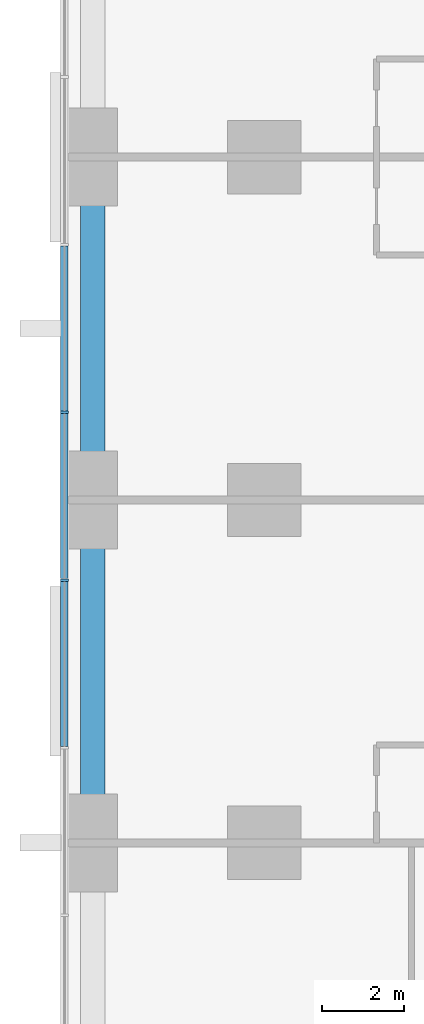
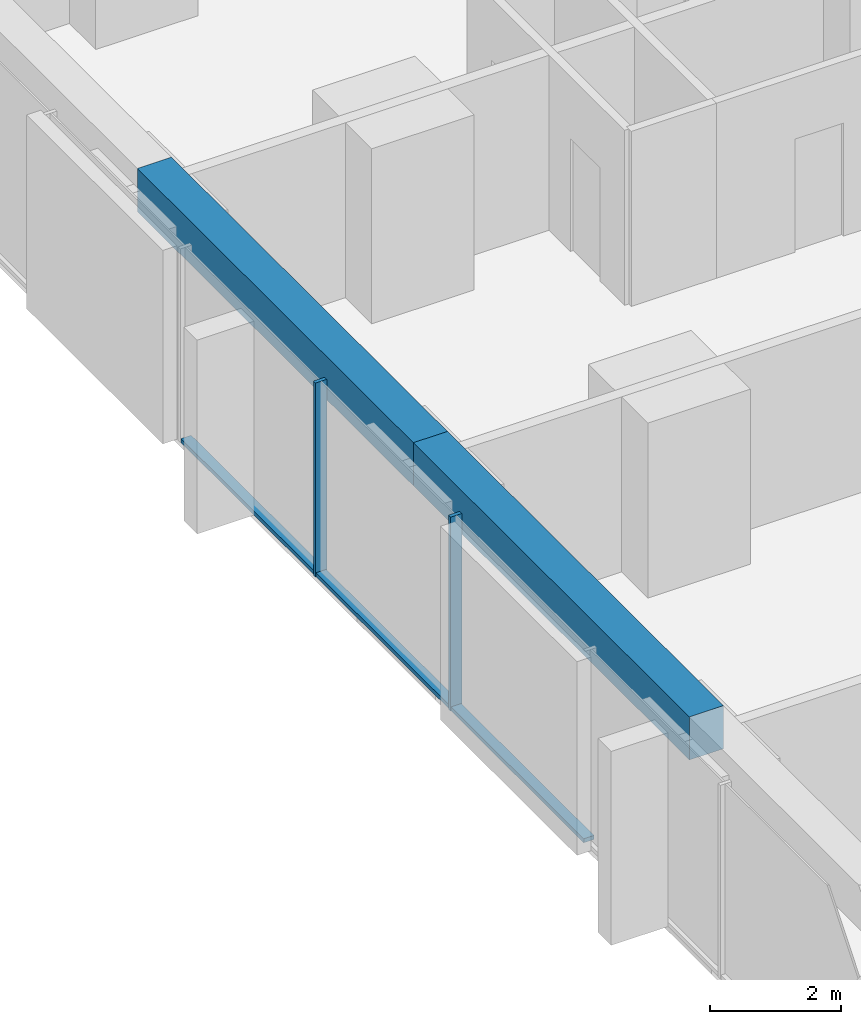
# One storey, part 3 of 17: 5 members, 2 beams, 1 element without a shape of its own.
"""IFC4 building model written with IfcOpenShell, lengths in metres."""

from ifc_helpers import new_model, si_unit, direction, frame, origin, origin_2d, place, context, subcontext, project, spatial, rectangle, extrude, material, material_profile, profile_set, type_object, element, aggregate, save


model = new_model("IFC4")

# Units and contexts
model_context = context("Model", 3, precision=1e-05, world=origin(), true_north=direction((0.0, 1.0)))
body_context = subcontext(model_context, "Body", "Model", "MODEL_VIEW")
ifc_project = project(units=[si_unit("LENGTHUNIT", "METRE"), si_unit("AREAUNIT", "SQUARE_METRE"), si_unit("VOLUMEUNIT", "CUBIC_METRE"), si_unit("PLANEANGLEUNIT", "RADIAN"), si_unit("MASSUNIT", "GRAM", prefix="KILO")], contexts=[model_context])

# Site, building, storey
site_placement = place(None, origin())
site = spatial("IfcSite", under=ifc_project, at=site_placement, CompositionType="ELEMENT")
building_placement = place(site_placement, origin())
building = spatial("IfcBuilding", under=site, at=building_placement, Name="Dunama Terrace Hotel", CompositionType="ELEMENT")
storey_placement = place(building_placement, frame((0.0, 0.0, 70.199951171875)))
storey = spatial("IfcBuildingStorey", under=building, at=storey_placement, Name="L17", CompositionType="ELEMENT", Elevation=70.199951171875)

# Curtain wall, members
ifc_material_1 = material(Name="Aluminium curtain wall system", Category="aluminium")
curtain_wall_type = type_object("IfcCurtainWallType", Name="Unitised fritted glass wall CW-A", PredefinedType="NOTDEFINED", material=ifc_material_1)
curtain_wall_placement = place(storey_placement, origin())
curtain_wall = element("IfcCurtainWall", 1, at=curtain_wall_placement, inside=storey, type_object=curtain_wall_type, Name="Unitised fritted glass wall CW-A L17", PredefinedType="NOTDEFINED")
ifc_material_2 = material(Name="Aluminium mullion", Category="aluminium")
ifc_material_profile_1 = material_profile(ifc_material_2, rectangle(XDim=0.06494140625, YDim=0.199951171875, at=origin_2d()), Name="CWA MULLION 65X200")
ifc_profile_set_1 = profile_set([ifc_material_profile_1], Name="Aluminium mullion")
member_type_1 = type_object("IfcMemberType", Name="CWA mullion 65x200", PredefinedType="MULLION", material=ifc_profile_set_1)
member_1_placement = place(storey_placement, frame((-0.10009765625, 27.345947265625, 0.0), z_axis=(0.0, 0.0, 1.0), x_axis=(0.0, -1.0, 0.0)))
member_1 = element("IfcMember", 2, at=member_1_placement, type_object=member_type_1, Name="CWA mullion", PredefinedType="MULLION", context=body_context, shape_type="SweptSolid", body=[
    extrude(rectangle(XDim=0.06494140625, YDim=0.199951171875, at=origin_2d()), origin(), (0.0, 0.0, 1.0), 3.60009765625),
])
member_2_placement = place(storey_placement, frame((-0.10009765625, 23.238037109375, 0.0), z_axis=(0.0, 0.0, 1.0), x_axis=(0.0, -1.0, 0.0)))
member_2 = element("IfcMember", 3, at=member_2_placement, type_object=member_type_1, Name="CWA mullion", PredefinedType="MULLION", context=body_context, shape_type="SweptSolid", body=[
    extrude(rectangle(XDim=0.06494140625, YDim=0.199951171875, at=origin_2d()), origin(), (0.0, 0.0, 1.0), 3.60009765625),
])
ifc_material_3 = material(Name="Aluminium transom", Category="aluminium")
ifc_material_profile_2 = material_profile(ifc_material_3, rectangle(XDim=0.179931640625, YDim=0.074951171875, at=origin_2d()), Name="CWA TRANSOM 180X75")
ifc_profile_set_2 = profile_set([ifc_material_profile_2], Name="Aluminium transom")
member_type_2 = type_object("IfcMemberType", Name="CWA transom 180x75", PredefinedType="USERDEFINED", material=ifc_profile_set_2)
member_3_placement = place(storey_placement, frame((-0.10009765625, 31.4208984375, 0.03759765625), z_axis=(0.0, -1.0, 0.0), x_axis=(1.0, 0.0, 0.0)))
member_3 = element("IfcMember", 4, at=member_3_placement, type_object=member_type_2, Name="CWA transom", ObjectType="TRANSOM", PredefinedType="USERDEFINED", context=body_context, shape_type="SweptSolid", body=[
    extrude(rectangle(XDim=0.179931640625, YDim=0.074951171875, at=origin_2d()), origin(), (0.0, 0.0, 1.0), 4.0419921875),
])
member_4_placement = place(storey_placement, frame((-0.10009765625, 27.31396484375, 0.03759765625), z_axis=(0.0, -1.0, 0.0), x_axis=(1.0, 0.0, 0.0)))
member_4 = element("IfcMember", 5, at=member_4_placement, type_object=member_type_2, Name="CWA transom", ObjectType="TRANSOM", PredefinedType="USERDEFINED", context=body_context, shape_type="SweptSolid", body=[
    extrude(rectangle(XDim=0.179931640625, YDim=0.074951171875, at=origin_2d()), origin(), (0.0, 0.0, 1.0), 4.04296875),
])
member_5_placement = place(storey_placement, frame((-0.10009765625, 23.2060546875, 0.03759765625), z_axis=(0.0, -1.0, 0.0), x_axis=(1.0, 0.0, 0.0)))
member_5 = element("IfcMember", 6, at=member_5_placement, type_object=member_type_2, Name="CWA transom", ObjectType="TRANSOM", PredefinedType="USERDEFINED", context=body_context, shape_type="SweptSolid", body=[
    extrude(rectangle(XDim=0.179931640625, YDim=0.074951171875, at=origin_2d()), origin(), (0.0, 0.0, 1.0), 4.04296875),
])
aggregate(curtain_wall, [member_1, member_2, member_3, member_4, member_5])

# Beams
ifc_material_4 = material(Name="Concrete C40/50", Category="concrete")
ifc_material_profile_3 = material_profile(ifc_material_4, rectangle(XDim=0.60009765625, YDim=0.800048828125, at=origin_2d()), Name="RC 600x800")
ifc_profile_set_3 = profile_set([ifc_material_profile_3], Name="Concrete C40/50")
beam_type = type_object("IfcBeamType", Name="Edge beam RC 600x800", PredefinedType="SPANDREL", material=ifc_profile_set_3)
beam_1_placement = place(storey_placement, frame((0.60009765625, 16.800048828125, 3.199951171875), z_axis=(0.0, 1.0, 0.0), x_axis=(-1.0, 0.0, 0.0)))
element("IfcBeam", 7, at=beam_1_placement, inside=storey, type_object=beam_type, Name="Edge beam under L18", PredefinedType="SPANDREL", context=body_context, shape_type="SweptSolid", body=[
    extrude(rectangle(XDim=0.60009765625, YDim=0.800048828125, at=origin_2d()), origin(), (0.0, 0.0, 1.0), 8.39990234375),
])
beam_2_placement = place(storey_placement, frame((0.60009765625, 25.199951171875, 3.199951171875), z_axis=(0.0, 1.0, 0.0), x_axis=(-1.0, 0.0, 0.0)))
element("IfcBeam", 8, at=beam_2_placement, inside=storey, type_object=beam_type, Name="Edge beam under L18", PredefinedType="SPANDREL", context=body_context, shape_type="SweptSolid", body=[
    extrude(rectangle(XDim=0.60009765625, YDim=0.800048828125, at=origin_2d()), origin(), (0.0, 0.0, 1.0), 8.400146484375),
])

save(model, "model.ifc")
